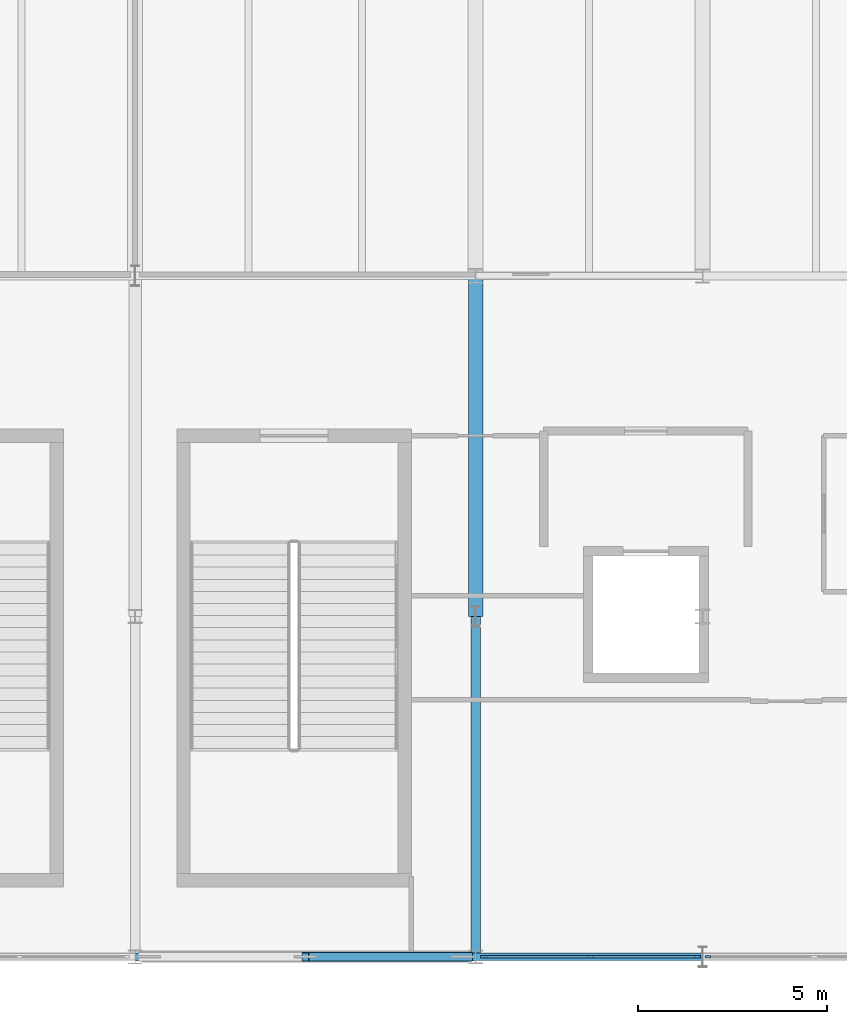
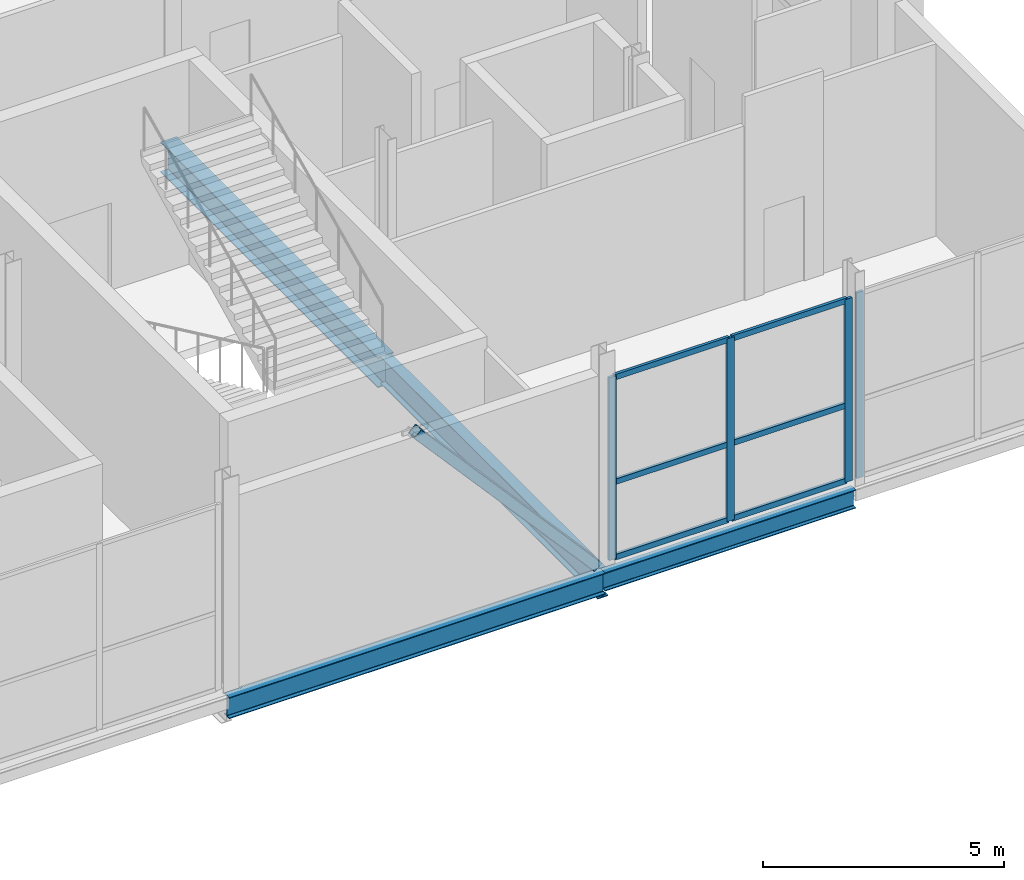
# One storey, part 45 of 119: 11 members, 4 beams, 2 elements without a shape of their own.
"""IFC4 building model written with IfcOpenShell, lengths in metres."""

import ifcopenshell
import ifcopenshell.guid

model = None  # the IFC model being written
_history = None  # IfcOwnerHistory: only IFC2X3 demands one
_inside = {}  # id of a spatial element -> (the spatial element, [elements in it])
_under = {}  # id of a project, library or spatial element -> (it, [spatial elements below it])
_declared = {}  # id of a project -> (the project, [libraries it declares])
_typed = {}  # id of a type object -> (the type object, [elements of that type])
_made_of = {}  # id of a material, layer set ... -> (it, [elements and type objects made of it])


def new_model(schema):
    """Start an empty IFC model of exactly this schema.

    Asked for "IFC4X3", IfcOpenShell would pick the latest addendum, in which some entities
    have other attributes; the version numbers below select the first issue.
    IFC2X3 requires an IfcOwnerHistory on every rooted entity: one is made here for all.
    """
    global model, _history
    if schema == "IFC4X3":
        model = ifcopenshell.file(schema_version=(4, 3, 0, 0))
    else:
        model = ifcopenshell.file(schema=schema)
    _inside.clear()
    _under.clear()
    _declared.clear()
    _typed.clear()
    _made_of.clear()
    _history = None
    if model.schema == "IFC2X3":
        org = make("IfcOrganization", Name="unknown")
        user = make(
            "IfcPersonAndOrganization",
            ThePerson=make("IfcPerson", FamilyName="unknown"),
            TheOrganization=org,
        )
        app = make(
            "IfcApplication",
            ApplicationDeveloper=org,
            Version="unknown",
            ApplicationFullName="unknown",
            ApplicationIdentifier="unknown",
        )
        _history = make(
            "IfcOwnerHistory",
            OwningUser=user,
            OwningApplication=app,
            ChangeAction="ADDED",
            CreationDate=0,
        )
    return model


def make(cls, **values):
    """One entity of the class cls with the attributes given. An attribute that is None is left unset."""
    return model.create_entity(
        cls, **{name: value for name, value in values.items() if value is not None}
    )


def rooted(cls, **values):
    """An entity with a GlobalId (a new one), such as an element, a storey or a relation."""
    return make(cls, GlobalId=ifcopenshell.guid.new(), OwnerHistory=_history, **values)


def si_unit(unit_type, name, prefix=None):
    """IfcSIUnit, for example si_unit("LENGTHUNIT", "METRE", prefix="MILLI")."""
    return make("IfcSIUnit", UnitType=unit_type, Prefix=prefix, Name=name)


def assignment(units):
    """IfcUnitAssignment: the units of a project."""
    return None if units is None else make("IfcUnitAssignment", Units=units)


def point(xyz):
    """IfcCartesianPoint."""
    return None if xyz is None else make("IfcCartesianPoint", Coordinates=xyz)


def direction(xyz):
    """IfcDirection."""
    return None if xyz is None else make("IfcDirection", DirectionRatios=xyz)


def frame(location, z_axis=None, x_axis=None):
    """IfcAxis2Placement3D, a coordinate frame: its origin and axes. An axis left out is left unset."""
    return make(
        "IfcAxis2Placement3D",
        Location=point(location),
        Axis=direction(z_axis),
        RefDirection=direction(x_axis),
    )


def frame_2d(location, x_axis=None):
    """IfcAxis2Placement2D, a coordinate frame in the plane: its origin and x axis."""
    return make(
        "IfcAxis2Placement2D", Location=point(location), RefDirection=direction(x_axis)
    )


def origin():
    """The frame at (0, 0, 0) with its axes left unset."""
    return frame((0.0, 0.0, 0.0))


def origin_2d():
    """The frame at (0, 0) in the plane with its x axis left unset."""
    return frame_2d((0.0, 0.0))


def place(relative_to, where):
    """IfcLocalPlacement: puts the frame where relative to a parent placement (None: the world)."""
    return make(
        "IfcLocalPlacement", PlacementRelTo=relative_to, RelativePlacement=where
    )


def context(
    kind, dimensions, precision=None, world=None, true_north=None, identifier=None
):
    """IfcGeometricRepresentationContext, for example the 3D "Model" context."""
    return make(
        "IfcGeometricRepresentationContext",
        ContextIdentifier=identifier,
        ContextType=kind,
        CoordinateSpaceDimension=dimensions,
        Precision=precision,
        WorldCoordinateSystem=world,
        TrueNorth=true_north,
    )


def subcontext(parent, identifier, kind, view, scale=None):
    """IfcGeometricRepresentationSubContext, for example "Body" below "Model"."""
    return make(
        "IfcGeometricRepresentationSubContext",
        ContextIdentifier=identifier,
        ContextType=kind,
        ParentContext=parent,
        TargetScale=scale,
        TargetView=view,
    )


def project(units=None, contexts=None):
    """IfcProject with its units and contexts."""
    return rooted(
        "IfcProject",
        Name="project",
        RepresentationContexts=contexts,
        UnitsInContext=assignment(units),
    )


def spatial(cls, under=None, at=None, **own):
    """A site, building, storey or space (cls), placed at a placement, below another one or the project."""
    s = rooted(cls, ObjectPlacement=at, **own)
    if under is not None:
        _under.setdefault(under.id(), (under, []))[1].append(s)
    return s


def profile(cls, at=None, kind="AREA", **sizes):
    """A parametric profile (cls). Its sizes go by their IFC names, for example OverallWidth=200.0."""
    return make(cls, ProfileType=kind, Position=at, **sizes)


def rectangle(**sizes):
    """IfcRectangleProfileDef."""
    return profile("IfcRectangleProfileDef", **sizes)


def hollow_rectangle(**sizes):
    """IfcRectangleHollowProfileDef."""
    return profile("IfcRectangleHollowProfileDef", **sizes)


def i_section(**sizes):
    """IfcIShapeProfileDef."""
    return profile("IfcIShapeProfileDef", **sizes)


def extrude(swept, where, along, depth):
    """IfcExtrudedAreaSolid: the profile swept, set in the frame where, extruded along a direction by depth."""
    return make(
        "IfcExtrudedAreaSolid",
        SweptArea=swept,
        Position=where,
        ExtrudedDirection=direction(along),
        Depth=depth,
    )


def shape(context_of_items, identifier, shape_type, items):
    """IfcShapeRepresentation: the items that make up one representation, for example the "Body"."""
    return make(
        "IfcShapeRepresentation",
        ContextOfItems=context_of_items,
        RepresentationIdentifier=identifier,
        RepresentationType=shape_type,
        Items=items,
    )


def material(Name=None, Category=None):
    """IfcMaterial."""
    return make("IfcMaterial", Name=Name, Category=Category)


def layer(
    of_material, thickness, ventilated=None, Name=None, Category=None, Priority=None
):
    """IfcMaterialLayer: one layer of a wall or slab, of a material (None: an air gap)."""
    return make(
        "IfcMaterialLayer",
        Material=of_material,
        LayerThickness=thickness,
        IsVentilated=ventilated,
        Name=Name,
        Category=Category,
        Priority=Priority,
    )


def layer_set(layers, Name=None):
    """IfcMaterialLayerSet."""
    return make("IfcMaterialLayerSet", MaterialLayers=layers, LayerSetName=Name)


def material_profile(
    of_material, cross_section, Name=None, Category=None, Priority=None
):
    """IfcMaterialProfile: a cross section and its material."""
    return make(
        "IfcMaterialProfile",
        Name=Name,
        Material=of_material,
        Profile=cross_section,
        Priority=Priority,
        Category=Category,
    )


def profile_set(profiles, Name=None, composite=None):
    """IfcMaterialProfileSet."""
    return make(
        "IfcMaterialProfileSet",
        Name=Name,
        MaterialProfiles=profiles,
        CompositeProfile=composite,
    )


def made_of(thing, what):
    """Note that an element or type object is made of a material, layer set ...; save() writes the relation."""
    if what is not None:
        _made_of.setdefault(what.id(), (what, []))[1].append(thing)
    return thing


def type_object(cls, material=None, **own):
    """A type object (cls), such as IfcWallType, which elements share."""
    return made_of(rooted(cls, **own), material)


def element(
    cls,
    number,
    at=None,
    inside=None,
    cuts=None,
    type_object=None,
    material=None,
    context=None,
    identifier="Body",
    shape_type=None,
    held_by="IfcProductDefinitionShape",
    body=None,
    shapes=None,
    **own,
):
    """One element of the class cls, such as IfcWall. Its Tag is "e" and its number.

    at: its placement. inside: the storey or other place that contains it. cuts: it is an
    opening in that element (IfcRelVoidsElement). A single representation is given by context,
    identifier, shape_type and body (its items); several are given by shapes. held_by: the class
    of the entity that holds the representations. save() writes the other relations.
    """
    e = rooted(cls, Tag="e%d" % number, ObjectPlacement=at, **own)
    if body is not None:
        shapes = [shape(context, identifier, shape_type, body)]
    if shapes is not None:
        e.Representation = make(held_by, Representations=shapes)
    if inside is not None:
        _inside.setdefault(inside.id(), (inside, []))[1].append(e)
    if cuts is not None:
        rooted(
            "IfcRelVoidsElement", RelatingBuildingElement=cuts, RelatedOpeningElement=e
        )
    if type_object is not None:
        _typed.setdefault(type_object.id(), (type_object, []))[1].append(e)
    return made_of(e, material)


def aggregate(whole, parts):
    """IfcRelAggregates: a whole, such as a stair, and the parts it consists of."""
    return rooted("IfcRelAggregates", RelatingObject=whole, RelatedObjects=parts)


def save(model, path):
    """Write the relations noted so far, then the file.

    IfcRelAggregates (storeys below a building ...), IfcRelContainedInSpatialStructure (elements
    in a storey), IfcRelDefinesByType, IfcRelAssociatesMaterial and IfcRelDeclares: one each for
    every whole, place, type object, material and project.
    """
    for whole, parts in _under.values():
        aggregate(whole, parts)
    for where, things in _inside.values():
        rooted(
            "IfcRelContainedInSpatialStructure",
            RelatedElements=things,
            RelatingStructure=where,
        )
    for kind, things in _typed.values():
        rooted("IfcRelDefinesByType", RelatedObjects=things, RelatingType=kind)
    for what, things in _made_of.values():
        rooted("IfcRelAssociatesMaterial", RelatedObjects=things, RelatingMaterial=what)
    for by, libraries in _declared.values():
        rooted("IfcRelDeclares", RelatingContext=by, RelatedDefinitions=libraries)
    model.write(path)


model = new_model("IFC4")

# Units and contexts
model_context = context("Model", 3, precision=1e-05, world=origin(), true_north=direction((0.0, 1.0)))
body_context = subcontext(model_context, "Body", "Model", "MODEL_VIEW")
ifc_project = project(units=[si_unit("LENGTHUNIT", "METRE"), si_unit("AREAUNIT", "SQUARE_METRE"), si_unit("VOLUMEUNIT", "CUBIC_METRE"), si_unit("PLANEANGLEUNIT", "RADIAN"), si_unit("MASSUNIT", "GRAM", prefix="KILO")], contexts=[model_context])

# Site, building, storey
site_placement = place(None, origin())
site = spatial("IfcSite", under=ifc_project, at=site_placement, CompositionType="ELEMENT")
building_placement = place(site_placement, origin())
building = spatial("IfcBuilding", under=site, at=building_placement, Name="Qamarlyn Nura Convention Centre", CompositionType="ELEMENT")
storey_placement = place(building_placement, frame((0.0, 0.0, 5.39990234375)))
storey = spatial("IfcBuildingStorey", under=building, at=storey_placement, Name="L01", CompositionType="ELEMENT", Elevation=5.39990234375)

# Beams
ifc_material_1 = material(Name="Steel ASTM A992", Category="steel")
ifc_material_profile_1 = material_profile(ifc_material_1, i_section(OverallWidth=0.25390625, OverallDepth=0.68408203125, WebThickness=0.012451171875, FlangeThickness=0.01904296875, FilletRadius=0.01806640625, at=origin_2d()), Name="W690X140")
ifc_profile_set_1 = profile_set([ifc_material_profile_1], Name="Steel ASTM A992")
beam_type_1 = type_object("IfcBeamType", Name="BM-GIRD-690B", PredefinedType="BEAM", material=ifc_profile_set_1)
beam_1_placement = place(storey_placement, frame((180.0, 0.0, -0.56201171875), z_axis=(0.0, 1.0, 0.0), x_axis=(-1.0, 0.0, 0.0)))
element("IfcBeam", 1, at=beam_1_placement, inside=storey, type_object=beam_type_1, Name="L01 girder 16 A-B", PredefinedType="BEAM", context=body_context, shape_type="SweptSolid", body=[
    extrude(i_section(OverallWidth=0.25390625, OverallDepth=0.68408203125, WebThickness=0.012451171875, FlangeThickness=0.01904296875, FilletRadius=0.01806640625, at=origin_2d()), origin(), (0.0, 0.0, 1.0), 9.0),
])
ifc_material_profile_2 = material_profile(ifc_material_1, i_section(OverallWidth=0.381103515625, OverallDepth=0.77294921875, WebThickness=0.0166015625, FlangeThickness=0.027587890625, FilletRadius=0.02001953125, at=origin_2d()), Name="W760X257")
ifc_profile_set_2 = profile_set([ifc_material_profile_2], Name="Steel ASTM A992")
beam_type_2 = type_object("IfcBeamType", Name="BM-GIRD-760", PredefinedType="BEAM", material=ifc_profile_set_2)
beam_2_placement = place(storey_placement, frame((180.0, 9.0, -0.6064453125), z_axis=(0.0, 1.0, 0.0), x_axis=(-1.0, 0.0, 0.0)))
element("IfcBeam", 2, at=beam_2_placement, inside=storey, type_object=beam_type_2, Name="L01 girder 16 B-C", PredefinedType="BEAM", context=body_context, shape_type="SweptSolid", body=[
    extrude(i_section(OverallWidth=0.381103515625, OverallDepth=0.77294921875, WebThickness=0.0166015625, FlangeThickness=0.027587890625, FilletRadius=0.02001953125, at=origin_2d()), origin(), (0.0, 0.0, 1.0), 9.0),
])
ifc_material_profile_3 = material_profile(ifc_material_1, i_section(OverallWidth=0.193115234375, OverallDepth=0.466064453125, WebThickness=0.011474609375, FlangeThickness=0.01904296875, FilletRadius=0.012939453125, at=origin_2d()), Name="W460X97")
ifc_profile_set_3 = profile_set([ifc_material_profile_3], Name="Steel ASTM A992")
beam_type_3 = type_object("IfcBeamType", Name="BM-SPAN-460", PredefinedType="SPANDREL", material=ifc_profile_set_3)
beam_3_placement = place(storey_placement, frame((180.0, 0.0, -0.452880859375), z_axis=(1.0, 0.0, 0.0), x_axis=(0.0, 1.0, 0.0)))
element("IfcBeam", 3, at=beam_3_placement, inside=storey, type_object=beam_type_3, Name="L01 girder A 16-17", PredefinedType="SPANDREL", context=body_context, shape_type="SweptSolid", body=[
    extrude(i_section(OverallWidth=0.193115234375, OverallDepth=0.466064453125, WebThickness=0.011474609375, FlangeThickness=0.01904296875, FilletRadius=0.012939453125, at=origin_2d()), origin(), (0.0, 0.0, 1.0), 6.0),
])
ifc_material_profile_4 = material_profile(ifc_material_1, i_section(OverallWidth=0.2109375, OverallDepth=0.5390625, WebThickness=0.01171875, FlangeThickness=0.018798828125, FilletRadius=0.013916015625, at=origin_2d()), Name="W530X109")
ifc_profile_set_4 = profile_set([ifc_material_profile_4], Name="Steel ASTM A992")
beam_type_4 = type_object("IfcBeamType", Name="BM-SPAN-530", PredefinedType="SPANDREL", material=ifc_profile_set_4)
beam_4_placement = place(storey_placement, frame((171.0, 0.0, -0.489501953125), z_axis=(1.0, 0.0, 0.0), x_axis=(0.0, 1.0, 0.0)))
element("IfcBeam", 4, at=beam_4_placement, inside=storey, type_object=beam_type_4, Name="L01 girder A 15-16", PredefinedType="SPANDREL", context=body_context, shape_type="SweptSolid", body=[
    extrude(i_section(OverallWidth=0.2109375, OverallDepth=0.5390625, WebThickness=0.01171875, FlangeThickness=0.018798828125, FilletRadius=0.013916015625, at=origin_2d()), origin(), (0.0, 0.0, 1.0), 9.0),
])

# Member
ifc_material_2 = material(Name="Steel ASTM A500 Grade C", Category="steel")
ifc_material_profile_5 = material_profile(ifc_material_2, hollow_rectangle(XDim=0.25, YDim=0.25, WallThickness=0.012451171875, InnerFilletRadius=0.012451171875, OuterFilletRadius=0.02490234375, at=origin_2d()), Name="HSS250X250X12.5")
ifc_profile_set_5 = profile_set([ifc_material_profile_5], Name="Steel ASTM A500 Grade C")
member_type_1 = type_object("IfcMemberType", Name="CBF-BRC-250", PredefinedType="BRACE", material=ifc_profile_set_5)
member_1_placement = place(storey_placement, frame((179.820068359375, 0.0, 0.0), z_axis=(-0.662834903935, 0.0, 0.748765577551), x_axis=(0.0, -1.0, 0.0)))
element("IfcMember", 5, at=member_1_placement, inside=storey, type_object=member_type_1, Name="L01 SCBF chevron brace CBF-E1R", PredefinedType="BRACE", context=body_context, shape_type="SweptSolid", body=[
    extrude(hollow_rectangle(XDim=0.25, YDim=0.25, WallThickness=0.012451171875, InnerFilletRadius=0.012451171875, OuterFilletRadius=0.02490234375, at=origin_2d()), origin(), (0.0, 0.0, 1.0), 6.517578125),
])

# Curtain wall, member
ifc_material_3 = material(Name="Double-silver low-E insulated glass", Category="glass")
ifc_layer_1 = layer(ifc_material_3, 0.179931640625, Name="CW-UNIT-79")
ifc_layer_set_1 = layer_set([ifc_layer_1], Name="Double-silver low-E insulated glass")
curtain_wall_type_1 = type_object("IfcCurtainWallType", Name="CW-UNIT-79", PredefinedType="NOTDEFINED", material=ifc_layer_set_1)
curtain_wall_1_placement = place(storey_placement, origin())
curtain_wall_1 = element("IfcCurtainWall", 6, at=curtain_wall_1_placement, inside=storey, type_object=curtain_wall_type_1, Name="L01 unitised curtain wall STH-5-1", PredefinedType="NOTDEFINED")
ifc_material_4 = material(Name="Champagne-anodised marine aluminium", Category="aluminium")
ifc_material_profile_6 = material_profile(ifc_material_4, rectangle(XDim=0.06494140625, YDim=0.159912109375, at=origin_2d()), Name="ALU MULLION 65x160")
ifc_profile_set_6 = profile_set([ifc_material_profile_6], Name="Champagne-anodised marine aluminium")
member_type_2 = type_object("IfcMemberType", Name="CWM-160", PredefinedType="MULLION", material=ifc_profile_set_6)
member_2_placement = place(storey_placement, frame((186.137939453125, 0.0, 0.0), z_axis=(0.0, 0.0, 1.0), x_axis=(0.0, -1.0, 0.0)))
member_2 = element("IfcMember", 7, at=member_2_placement, type_object=member_type_2, Name="CW79 mullion 3", PredefinedType="MULLION", context=body_context, shape_type="SweptSolid", body=[
    extrude(rectangle(XDim=0.06494140625, YDim=0.159912109375, at=origin_2d()), origin(), (0.0, 0.0, 1.0), 4.69921875),
])
aggregate(curtain_wall_1, [member_2])

# Curtain wall, members
ifc_layer_2 = layer(ifc_material_3, 0.179931640625, Name="CW-UNIT-78")
ifc_layer_set_2 = layer_set([ifc_layer_2], Name="Double-silver low-E insulated glass")
curtain_wall_type_2 = type_object("IfcCurtainWallType", Name="CW-UNIT-78", PredefinedType="NOTDEFINED", material=ifc_layer_set_2)
curtain_wall_2_placement = place(storey_placement, origin())
curtain_wall_2 = element("IfcCurtainWall", 8, at=curtain_wall_2_placement, inside=storey, type_object=curtain_wall_type_2, Name="L01 unitised curtain wall STH-4-1", PredefinedType="NOTDEFINED")
ifc_material_profile_7 = material_profile(ifc_material_4, rectangle(XDim=0.070068359375, YDim=0.179931640625, at=origin_2d()), Name="ALU MULLION 70x180")
ifc_profile_set_7 = profile_set([ifc_material_profile_7], Name="Champagne-anodised marine aluminium")
member_type_3 = type_object("IfcMemberType", Name="CWM-180", PredefinedType="MULLION", material=ifc_profile_set_7)
member_3_placement = place(storey_placement, frame((185.859619140625, 0.0, 0.0), z_axis=(0.0, 0.0, 1.0), x_axis=(0.0, -1.0, 0.0)))
member_3 = element("IfcMember", 9, at=member_3_placement, type_object=member_type_3, Name="CW78 mullion 1", PredefinedType="MULLION", context=body_context, shape_type="SweptSolid", body=[
    extrude(rectangle(XDim=0.070068359375, YDim=0.179931640625, at=origin_2d()), origin(), (0.0, 0.0, 1.0), 4.6259765625),
])
member_4_placement = place(storey_placement, frame((183.03955078125, 0.0, 0.0), z_axis=(0.0, 0.0, 1.0), x_axis=(0.0, -1.0, 0.0)))
member_4 = element("IfcMember", 10, at=member_4_placement, type_object=member_type_3, Name="CW78 mullion 2", PredefinedType="MULLION", context=body_context, shape_type="SweptSolid", body=[
    extrude(rectangle(XDim=0.070068359375, YDim=0.179931640625, at=origin_2d()), origin(), (0.0, 0.0, 1.0), 4.6259765625),
])
member_5_placement = place(storey_placement, frame((180.219482421875, 0.0, 0.0), z_axis=(0.0, 0.0, 1.0), x_axis=(0.0, -1.0, 0.0)))
member_5 = element("IfcMember", 11, at=member_5_placement, type_object=member_type_3, Name="CW78 mullion 3", PredefinedType="MULLION", context=body_context, shape_type="SweptSolid", body=[
    extrude(rectangle(XDim=0.070068359375, YDim=0.179931640625, at=origin_2d()), origin(), (0.0, 0.0, 1.0), 4.6259765625),
])
ifc_material_profile_8 = material_profile(ifc_material_4, rectangle(XDim=0.070068359375, YDim=0.139892578125, at=origin_2d()), Name="ALU TRANSOM 70x140")
ifc_profile_set_8 = profile_set([ifc_material_profile_8], Name="Champagne-anodised marine aluminium")
member_type_4 = type_object("IfcMemberType", Name="CWT-140", PredefinedType="USERDEFINED", material=ifc_profile_set_8)
member_6_placement = place(storey_placement, frame((185.824462890625, 0.0, 0.03515625), z_axis=(-1.0, 0.0, 0.0), x_axis=(0.0, -1.0, 0.0)))
member_6 = element("IfcMember", 12, at=member_6_placement, type_object=member_type_4, Name="CW78 transom 1.1", ObjectType="TRANSOM", PredefinedType="USERDEFINED", context=body_context, shape_type="SweptSolid", body=[
    extrude(rectangle(XDim=0.070068359375, YDim=0.139892578125, at=origin_2d()), origin(), (0.0, 0.0, 1.0), 2.75),
])
member_7_placement = place(storey_placement, frame((185.824462890625, 0.0, 1.943115234375), z_axis=(-1.0, 0.0, 0.0), x_axis=(0.0, -1.0, 0.0)))
member_7 = element("IfcMember", 13, at=member_7_placement, type_object=member_type_4, Name="CW78 transom 1.2", ObjectType="TRANSOM", PredefinedType="USERDEFINED", context=body_context, shape_type="SweptSolid", body=[
    extrude(rectangle(XDim=0.070068359375, YDim=0.139892578125, at=origin_2d()), origin(), (0.0, 0.0, 1.0), 2.75),
])
member_8_placement = place(storey_placement, frame((185.824462890625, 0.0, 4.591064453125), z_axis=(-1.0, 0.0, 0.0), x_axis=(0.0, -1.0, 0.0)))
member_8 = element("IfcMember", 14, at=member_8_placement, type_object=member_type_4, Name="CW78 transom 1.3", ObjectType="TRANSOM", PredefinedType="USERDEFINED", context=body_context, shape_type="SweptSolid", body=[
    extrude(rectangle(XDim=0.070068359375, YDim=0.139892578125, at=origin_2d()), origin(), (0.0, 0.0, 1.0), 2.75),
])
member_9_placement = place(storey_placement, frame((183.00439453125, 0.0, 0.03515625), z_axis=(-1.0, 0.0, 0.0), x_axis=(0.0, -1.0, 0.0)))
member_9 = element("IfcMember", 15, at=member_9_placement, type_object=member_type_4, Name="CW78 transom 2.1", ObjectType="TRANSOM", PredefinedType="USERDEFINED", context=body_context, shape_type="SweptSolid", body=[
    extrude(rectangle(XDim=0.070068359375, YDim=0.139892578125, at=origin_2d()), origin(), (0.0, 0.0, 1.0), 2.75),
])
member_10_placement = place(storey_placement, frame((183.00439453125, 0.0, 1.943115234375), z_axis=(-1.0, 0.0, 0.0), x_axis=(0.0, -1.0, 0.0)))
member_10 = element("IfcMember", 16, at=member_10_placement, type_object=member_type_4, Name="CW78 transom 2.2", ObjectType="TRANSOM", PredefinedType="USERDEFINED", context=body_context, shape_type="SweptSolid", body=[
    extrude(rectangle(XDim=0.070068359375, YDim=0.139892578125, at=origin_2d()), origin(), (0.0, 0.0, 1.0), 2.75),
])
member_11_placement = place(storey_placement, frame((183.00439453125, 0.0, 4.591064453125), z_axis=(-1.0, 0.0, 0.0), x_axis=(0.0, -1.0, 0.0)))
member_11 = element("IfcMember", 17, at=member_11_placement, type_object=member_type_4, Name="CW78 transom 2.3", ObjectType="TRANSOM", PredefinedType="USERDEFINED", context=body_context, shape_type="SweptSolid", body=[
    extrude(rectangle(XDim=0.070068359375, YDim=0.139892578125, at=origin_2d()), origin(), (0.0, 0.0, 1.0), 2.75),
])
aggregate(curtain_wall_2, [member_3, member_4, member_5, member_6, member_7, member_8, member_9, member_10, member_11])

save(model, "model.ifc")
